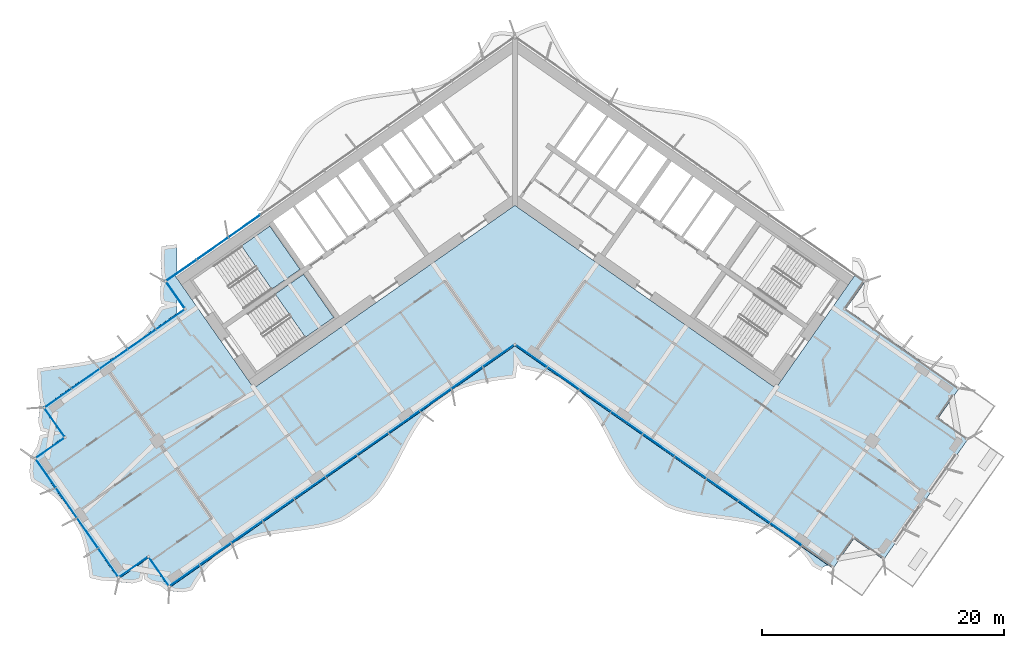
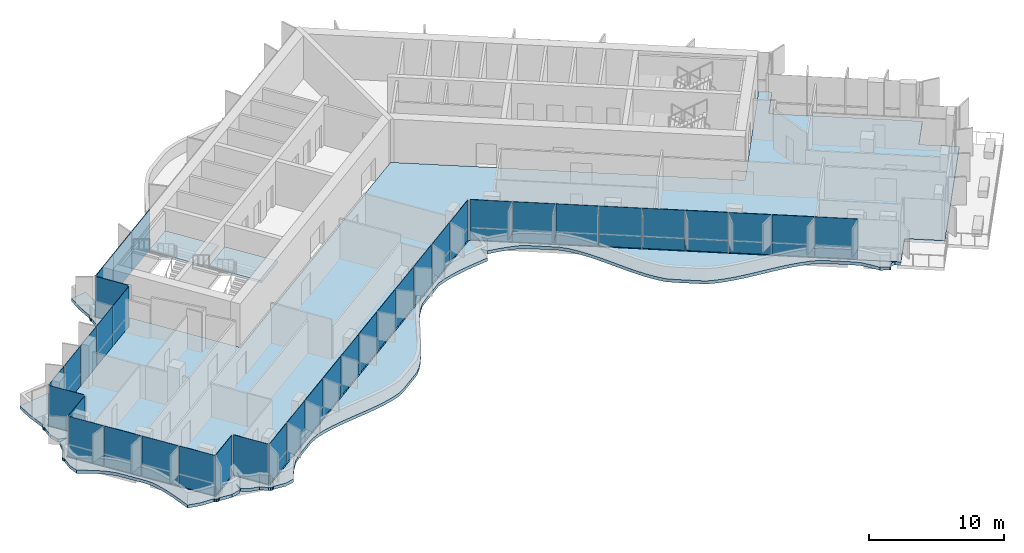
# One storey, part 10 of 22: 37 plates, 4 slabs, 4 elements without a shape of their own.
"""IFC4 building model written with IfcOpenShell, lengths in metres."""

from ifc_helpers import new_model, si_unit, direction, frame, origin, origin_2d, place, context, subcontext, project, spatial, polyline, rectangle, outline, extrude, material, layer, layer_set, type_object, element, aggregate, save


model = new_model("IFC4")

# Units and contexts
model_context = context("Model", 3, precision=1e-05, world=origin(), true_north=direction((0.0, 1.0)))
body_context = subcontext(model_context, "Body", "Model", "MODEL_VIEW")
ifc_project = project(units=[si_unit("LENGTHUNIT", "METRE"), si_unit("AREAUNIT", "SQUARE_METRE"), si_unit("VOLUMEUNIT", "CUBIC_METRE"), si_unit("PLANEANGLEUNIT", "RADIAN"), si_unit("MASSUNIT", "GRAM", prefix="KILO")], contexts=[model_context])

# Site, building, storey
site_placement = place(None, origin())
site = spatial("IfcSite", under=ifc_project, at=site_placement, CompositionType="ELEMENT")
building_placement = place(site_placement, origin())
building = spatial("IfcBuilding", under=site, at=building_placement, Name="Tel Ilan Convention Tower", CompositionType="ELEMENT")
storey_placement = place(building_placement, frame((0.0, 0.0, 143.699951171875)))
storey = spatial("IfcBuildingStorey", under=building, at=storey_placement, Name="L32", CompositionType="ELEMENT", Elevation=143.699951171875)

# Curtain wall, plates
ifc_material_1 = material(Name="Aluminium, bronze anodised", Category="aluminium")
curtain_wall_type_1 = type_object("IfcCurtainWallType", Name="CW4 STICK CURTAIN WALL, OFFICE TINTED GLASS", PredefinedType="NOTDEFINED", material=ifc_material_1)
curtain_wall_1_placement = place(storey_placement, origin())
curtain_wall_1 = element("IfcCurtainWall", 1, at=curtain_wall_1_placement, inside=storey, type_object=curtain_wall_type_1, Name="Curtain wall CW4-26.04", PredefinedType="NOTDEFINED")
ifc_material_2 = material(Name="Glass, bronze tinted, two-ply", Category="glass")
ifc_layer_1 = layer(ifc_material_2, 0.028076171875)
ifc_layer_set_1 = layer_set([ifc_layer_1], Name="CW GLASS PANEL 28")
plate_type_1 = type_object("IfcPlateType", Name="CW GLASS PANEL 28", PredefinedType="CURTAIN_PANEL", material=ifc_layer_set_1)
plate_1_placement = place(storey_placement, frame((-28.44677734375, -10.640625, 0.0), z_axis=(0.0, 0.0, 1.0), x_axis=(-0.819152044289, -0.573576436351, 0.0)))
plate_1 = element("IfcPlate", 2, at=plate_1_placement, type_object=plate_type_1, Name="Glass panel", PredefinedType="CURTAIN_PANEL", context=body_context, shape_type="SweptSolid", body=[
    extrude(rectangle(XDim=2.80908203125, YDim=0.028076171875, at=origin_2d()), origin(), (0.0, 0.0, 1.0), 3.6201171875),
])
plate_2_placement = place(storey_placement, frame((-30.784912109375, -12.278076171875, 0.0), z_axis=(0.0, 0.0, 1.0), x_axis=(-0.819152044289, -0.573576436351, 0.0)))
plate_2 = element("IfcPlate", 3, at=plate_2_placement, type_object=plate_type_1, Name="Glass panel", PredefinedType="CURTAIN_PANEL", context=body_context, shape_type="SweptSolid", body=[
    extrude(rectangle(XDim=2.780029296875, YDim=0.028076171875, at=origin_2d()), origin(), (0.0, 0.0, 1.0), 3.6201171875),
])
plate_3_placement = place(storey_placement, frame((-33.111328125, -13.906982421875, 0.0), z_axis=(0.0, 0.0, 1.0), x_axis=(-0.819152044289, -0.573576436351, 0.0)))
plate_3 = element("IfcPlate", 4, at=plate_3_placement, type_object=plate_type_1, Name="Glass panel", PredefinedType="CURTAIN_PANEL", context=body_context, shape_type="SweptSolid", body=[
    extrude(rectangle(XDim=2.780029296875, YDim=0.028076171875, at=origin_2d()), origin(), (0.0, 0.0, 1.0), 3.6201171875),
])
plate_4_placement = place(storey_placement, frame((-35.437744140625, -15.535888671875, 0.0), z_axis=(0.0, 0.0, 1.0), x_axis=(-0.819152044289, -0.573576436351, 0.0)))
plate_4 = element("IfcPlate", 5, at=plate_4_placement, type_object=plate_type_1, Name="Glass panel", PredefinedType="CURTAIN_PANEL", context=body_context, shape_type="SweptSolid", body=[
    extrude(rectangle(XDim=2.780029296875, YDim=0.028076171875, at=origin_2d()), origin(), (0.0, 0.0, 1.0), 3.6201171875),
])
plate_5_placement = place(storey_placement, frame((-37.7255859375, -17.137939453125, 0.0), z_axis=(0.0, 0.0, 1.0), x_axis=(-0.819152044289, -0.573576436351, 0.0)))
plate_5 = element("IfcPlate", 6, at=plate_5_placement, type_object=plate_type_1, Name="Glass panel", PredefinedType="CURTAIN_PANEL", context=body_context, shape_type="SweptSolid", body=[
    extrude(rectangle(XDim=2.68603515625, YDim=0.028076171875, at=origin_2d()), origin(), (0.0, 0.0, 1.0), 3.6201171875),
])
plate_6_placement = place(storey_placement, frame((-38.007080078125, -19.119140625, 0.0), z_axis=(0.0, 0.0, 1.0), x_axis=(0.573576436351, -0.819152044289, 0.0)))
plate_6 = element("IfcPlate", 7, at=plate_6_placement, type_object=plate_type_1, Name="Glass panel", PredefinedType="CURTAIN_PANEL", context=body_context, shape_type="SweptSolid", body=[
    extrude(rectangle(XDim=2.875, YDim=0.028076171875, at=origin_2d()), origin(), (0.0, 0.0, 1.0), 3.6201171875),
])
plate_7_placement = place(storey_placement, frame((-38.385009765625, -21.261962890625, 0.0), z_axis=(0.0, 0.0, 1.0), x_axis=(-0.819152044289, -0.573576436351, 0.0)))
plate_7 = element("IfcPlate", 8, at=plate_7_placement, type_object=plate_type_1, Name="Glass panel", PredefinedType="CURTAIN_PANEL", context=body_context, shape_type="SweptSolid", body=[
    extrude(rectangle(XDim=2.875, YDim=0.028076171875, at=origin_2d()), origin(), (0.0, 0.0, 1.0), 3.6201171875),
])
plate_8_placement = place(storey_placement, frame((-38.73779296875, -23.305908203125, 0.0), z_axis=(0.0, 0.0, 1.0), x_axis=(0.573576436351, -0.819152044289, 0.0)))
plate_8 = element("IfcPlate", 9, at=plate_8_placement, type_object=plate_type_1, Name="Glass panel", PredefinedType="CURTAIN_PANEL", context=body_context, shape_type="SweptSolid", body=[
    extrude(rectangle(XDim=2.89599609375, YDim=0.028076171875, at=origin_2d()), origin(), (0.0, 0.0, 1.0), 3.6201171875),
])
plate_9_placement = place(storey_placement, frame((-37.015380859375, -25.765869140625, 0.0), z_axis=(0.0, 0.0, 1.0), x_axis=(0.573576436351, -0.819152044289, 0.0)))
plate_9 = element("IfcPlate", 10, at=plate_9_placement, type_object=plate_type_1, Name="Glass panel", PredefinedType="CURTAIN_PANEL", context=body_context, shape_type="SweptSolid", body=[
    extrude(rectangle(XDim=2.989990234375, YDim=0.028076171875, at=origin_2d()), origin(), (0.0, 0.0, 1.0), 3.6201171875),
])
plate_10_placement = place(storey_placement, frame((-35.26611328125, -28.264404296875, 0.0), z_axis=(0.0, 0.0, 1.0), x_axis=(0.573576436351, -0.819152044289, 0.0)))
plate_10 = element("IfcPlate", 11, at=plate_10_placement, type_object=plate_type_1, Name="Glass panel", PredefinedType="CURTAIN_PANEL", context=body_context, shape_type="SweptSolid", body=[
    extrude(rectangle(XDim=2.989990234375, YDim=0.028076171875, at=origin_2d()), origin(), (0.0, 0.0, 1.0), 3.6201171875),
])
plate_11_placement = place(storey_placement, frame((-33.543701171875, -30.72412109375, 0.0), z_axis=(0.0, 0.0, 1.0), x_axis=(0.573576436351, -0.819152044289, 0.0)))
plate_11 = element("IfcPlate", 12, at=plate_11_placement, type_object=plate_type_1, Name="Glass panel", PredefinedType="CURTAIN_PANEL", context=body_context, shape_type="SweptSolid", body=[
    extrude(rectangle(XDim=2.89599609375, YDim=0.028076171875, at=origin_2d()), origin(), (0.0, 0.0, 1.0), 3.6201171875),
])
plate_12_placement = place(storey_placement, frame((-31.502197265625, -31.091796875, 0.0), z_axis=(0.0, 0.0, 1.0), x_axis=(0.819152044289, 0.573576436351, 0.0)))
plate_12 = element("IfcPlate", 13, at=plate_12_placement, type_object=plate_type_1, Name="Glass panel", PredefinedType="CURTAIN_PANEL", context=body_context, shape_type="SweptSolid", body=[
    extrude(rectangle(XDim=2.875, YDim=0.028076171875, at=origin_2d()), origin(), (0.0, 0.0, 1.0), 3.6201171875),
])
plate_13_placement = place(storey_placement, frame((-29.359375, -31.469482421875, 0.0), z_axis=(0.0, 0.0, 1.0), x_axis=(0.573576436351, -0.819152044289, 0.0)))
plate_13 = element("IfcPlate", 14, at=plate_13_placement, type_object=plate_type_1, Name="Glass panel", PredefinedType="CURTAIN_PANEL", context=body_context, shape_type="SweptSolid", body=[
    extrude(rectangle(XDim=2.875, YDim=0.028076171875, at=origin_2d()), origin(), (0.0, 0.0, 1.0), 3.6201171875),
])
plate_14_placement = place(storey_placement, frame((-27.26708984375, -31.78857421875, 0.0), z_axis=(0.0, 0.0, 1.0), x_axis=(0.819152044289, 0.573576436351, 0.0)))
plate_14 = element("IfcPlate", 15, at=plate_14_placement, type_object=plate_type_1, Name="Glass panel", PredefinedType="CURTAIN_PANEL", context=body_context, shape_type="SweptSolid", body=[
    extrude(rectangle(XDim=3.013916015625, YDim=0.028076171875, at=origin_2d()), origin(), (0.0, 0.0, 1.0), 3.6201171875),
])
plate_15_placement = place(storey_placement, frame((-24.71044921875, -29.99853515625, 0.0), z_axis=(0.0, 0.0, 1.0), x_axis=(0.819152044289, 0.573576436351, 0.0)))
plate_15 = element("IfcPlate", 16, at=plate_15_placement, type_object=plate_type_1, Name="Glass panel", PredefinedType="CURTAIN_PANEL", context=body_context, shape_type="SweptSolid", body=[
    extrude(rectangle(XDim=3.10791015625, YDim=0.028076171875, at=origin_2d()), origin(), (0.0, 0.0, 1.0), 3.6201171875),
])
plate_16_placement = place(storey_placement, frame((-22.115478515625, -28.181396484375, 0.0), z_axis=(0.0, 0.0, 1.0), x_axis=(0.819152044289, 0.573576436351, 0.0)))
plate_16 = element("IfcPlate", 17, at=plate_16_placement, type_object=plate_type_1, Name="Glass panel", PredefinedType="CURTAIN_PANEL", context=body_context, shape_type="SweptSolid", body=[
    extrude(rectangle(XDim=3.10791015625, YDim=0.028076171875, at=origin_2d()), origin(), (0.0, 0.0, 1.0), 3.6201171875),
])
plate_17_placement = place(storey_placement, frame((-19.520263671875, -26.3642578125, 0.0), z_axis=(0.0, 0.0, 1.0), x_axis=(0.819152044289, 0.573576436351, 0.0)))
plate_17 = element("IfcPlate", 18, at=plate_17_placement, type_object=plate_type_1, Name="Glass panel", PredefinedType="CURTAIN_PANEL", context=body_context, shape_type="SweptSolid", body=[
    extrude(rectangle(XDim=3.10791015625, YDim=0.028076171875, at=origin_2d()), origin(), (0.0, 0.0, 1.0), 3.6201171875),
])
plate_18_placement = place(storey_placement, frame((-16.92529296875, -24.54736328125, 0.0), z_axis=(0.0, 0.0, 1.0), x_axis=(0.819152044289, 0.573576436351, 0.0)))
plate_18 = element("IfcPlate", 19, at=plate_18_placement, type_object=plate_type_1, Name="Glass panel", PredefinedType="CURTAIN_PANEL", context=body_context, shape_type="SweptSolid", body=[
    extrude(rectangle(XDim=3.10791015625, YDim=0.028076171875, at=origin_2d()), origin(), (0.0, 0.0, 1.0), 3.6201171875),
])
plate_19_placement = place(storey_placement, frame((-14.330078125, -22.730224609375, 0.0), z_axis=(0.0, 0.0, 1.0), x_axis=(0.819152044289, 0.573576436351, 0.0)))
plate_19 = element("IfcPlate", 20, at=plate_19_placement, type_object=plate_type_1, Name="Glass panel", PredefinedType="CURTAIN_PANEL", context=body_context, shape_type="SweptSolid", body=[
    extrude(rectangle(XDim=3.10791015625, YDim=0.028076171875, at=origin_2d()), origin(), (0.0, 0.0, 1.0), 3.6201171875),
])
plate_20_placement = place(storey_placement, frame((-11.735107421875, -20.9130859375, 0.0), z_axis=(0.0, 0.0, 1.0), x_axis=(0.819152044289, 0.573576436351, 0.0)))
plate_20 = element("IfcPlate", 21, at=plate_20_placement, type_object=plate_type_1, Name="Glass panel", PredefinedType="CURTAIN_PANEL", context=body_context, shape_type="SweptSolid", body=[
    extrude(rectangle(XDim=3.10791015625, YDim=0.028076171875, at=origin_2d()), origin(), (0.0, 0.0, 1.0), 3.6201171875),
])
plate_21_placement = place(storey_placement, frame((-9.14013671875, -19.095947265625, 0.0), z_axis=(0.0, 0.0, 1.0), x_axis=(0.819152044289, 0.573576436351, 0.0)))
plate_21 = element("IfcPlate", 22, at=plate_21_placement, type_object=plate_type_1, Name="Glass panel", PredefinedType="CURTAIN_PANEL", context=body_context, shape_type="SweptSolid", body=[
    extrude(rectangle(XDim=3.10791015625, YDim=0.028076171875, at=origin_2d()), origin(), (0.0, 0.0, 1.0), 3.6201171875),
])
plate_22_placement = place(storey_placement, frame((-6.544921875, -17.27880859375, 0.0), z_axis=(0.0, 0.0, 1.0), x_axis=(0.819152044289, 0.573576436351, 0.0)))
plate_22 = element("IfcPlate", 23, at=plate_22_placement, type_object=plate_type_1, Name="Glass panel", PredefinedType="CURTAIN_PANEL", context=body_context, shape_type="SweptSolid", body=[
    extrude(rectangle(XDim=3.10791015625, YDim=0.028076171875, at=origin_2d()), origin(), (0.0, 0.0, 1.0), 3.6201171875),
])
plate_23_placement = place(storey_placement, frame((-3.949951171875, -15.4619140625, 0.0), z_axis=(0.0, 0.0, 1.0), x_axis=(0.819152044289, 0.573576436351, 0.0)))
plate_23 = element("IfcPlate", 24, at=plate_23_placement, type_object=plate_type_1, Name="Glass panel", PredefinedType="CURTAIN_PANEL", context=body_context, shape_type="SweptSolid", body=[
    extrude(rectangle(XDim=3.10791015625, YDim=0.028076171875, at=origin_2d()), origin(), (0.0, 0.0, 1.0), 3.6201171875),
])
plate_24_placement = place(storey_placement, frame((-1.355224609375, -13.64501953125, 0.0), z_axis=(0.0, 0.0, 1.0), x_axis=(0.819152044289, 0.573576436351, 0.0)))
plate_24 = element("IfcPlate", 25, at=plate_24_placement, type_object=plate_type_1, Name="Glass panel", PredefinedType="CURTAIN_PANEL", context=body_context, shape_type="SweptSolid", body=[
    extrude(rectangle(XDim=3.10693359375, YDim=0.028076171875, at=origin_2d()), origin(), (0.0, 0.0, 1.0), 3.6201171875),
])
plate_25_placement = place(storey_placement, frame((1.3818359375, -13.66357421875, 0.0), z_axis=(0.0, 0.0, 1.0), x_axis=(0.819152044289, -0.573576436351, 0.0)))
plate_25 = element("IfcPlate", 26, at=plate_25_placement, type_object=plate_type_1, Name="Glass panel", PredefinedType="CURTAIN_PANEL", context=body_context, shape_type="SweptSolid", body=[
    extrude(rectangle(XDim=3.11572265625, YDim=0.028076171875, at=origin_2d()), origin(), (0.0, 0.0, 1.0), 3.6201171875),
])
plate_26_placement = place(storey_placement, frame((3.9951171875, -15.493408203125, 0.0), z_axis=(0.0, 0.0, 1.0), x_axis=(0.819152044289, -0.573576436351, 0.0)))
plate_26 = element("IfcPlate", 27, at=plate_26_placement, type_object=plate_type_1, Name="Glass panel", PredefinedType="CURTAIN_PANEL", context=body_context, shape_type="SweptSolid", body=[
    extrude(rectangle(XDim=3.144775390625, YDim=0.028076171875, at=origin_2d()), origin(), (0.0, 0.0, 1.0), 3.6201171875),
])
plate_27_placement = place(storey_placement, frame((6.620361328125, -17.331787109375, 0.0), z_axis=(0.0, 0.0, 1.0), x_axis=(0.819152044289, -0.573576436351, 0.0)))
plate_27 = element("IfcPlate", 28, at=plate_27_placement, type_object=plate_type_1, Name="Glass panel", PredefinedType="CURTAIN_PANEL", context=body_context, shape_type="SweptSolid", body=[
    extrude(rectangle(XDim=3.144775390625, YDim=0.028076171875, at=origin_2d()), origin(), (0.0, 0.0, 1.0), 3.6201171875),
])
plate_28_placement = place(storey_placement, frame((9.24560546875, -19.169921875, 0.0), z_axis=(0.0, 0.0, 1.0), x_axis=(0.819152044289, -0.573576436351, 0.0)))
plate_28 = element("IfcPlate", 29, at=plate_28_placement, type_object=plate_type_1, Name="Glass panel", PredefinedType="CURTAIN_PANEL", context=body_context, shape_type="SweptSolid", body=[
    extrude(rectangle(XDim=3.144775390625, YDim=0.028076171875, at=origin_2d()), origin(), (0.0, 0.0, 1.0), 3.6201171875),
])
plate_29_placement = place(storey_placement, frame((11.870849609375, -21.008056640625, 0.0), z_axis=(0.0, 0.0, 1.0), x_axis=(0.819152044289, -0.573576436351, 0.0)))
plate_29 = element("IfcPlate", 30, at=plate_29_placement, type_object=plate_type_1, Name="Glass panel", PredefinedType="CURTAIN_PANEL", context=body_context, shape_type="SweptSolid", body=[
    extrude(rectangle(XDim=3.144775390625, YDim=0.028076171875, at=origin_2d()), origin(), (0.0, 0.0, 1.0), 3.6201171875),
])
plate_30_placement = place(storey_placement, frame((14.49609375, -22.84619140625, 0.0), z_axis=(0.0, 0.0, 1.0), x_axis=(0.819152044289, -0.573576436351, 0.0)))
plate_30 = element("IfcPlate", 31, at=plate_30_placement, type_object=plate_type_1, Name="Glass panel", PredefinedType="CURTAIN_PANEL", context=body_context, shape_type="SweptSolid", body=[
    extrude(rectangle(XDim=3.144775390625, YDim=0.028076171875, at=origin_2d()), origin(), (0.0, 0.0, 1.0), 3.6201171875),
])
plate_31_placement = place(storey_placement, frame((17.12109375, -24.684326171875, 0.0), z_axis=(0.0, 0.0, 1.0), x_axis=(0.819152044289, -0.573576436351, 0.0)))
plate_31 = element("IfcPlate", 32, at=plate_31_placement, type_object=plate_type_1, Name="Glass panel", PredefinedType="CURTAIN_PANEL", context=body_context, shape_type="SweptSolid", body=[
    extrude(rectangle(XDim=3.144775390625, YDim=0.028076171875, at=origin_2d()), origin(), (0.0, 0.0, 1.0), 3.6201171875),
])
plate_32_placement = place(storey_placement, frame((19.746337890625, -26.522705078125, 0.0), z_axis=(0.0, 0.0, 1.0), x_axis=(0.819152044289, -0.573576436351, 0.0)))
plate_32 = element("IfcPlate", 33, at=plate_32_placement, type_object=plate_type_1, Name="Glass panel", PredefinedType="CURTAIN_PANEL", context=body_context, shape_type="SweptSolid", body=[
    extrude(rectangle(XDim=3.144775390625, YDim=0.028076171875, at=origin_2d()), origin(), (0.0, 0.0, 1.0), 3.6201171875),
])
plate_33_placement = place(storey_placement, frame((22.37158203125, -28.36083984375, 0.0), z_axis=(0.0, 0.0, 1.0), x_axis=(0.819152044289, -0.573576436351, 0.0)))
plate_33 = element("IfcPlate", 34, at=plate_33_placement, type_object=plate_type_1, Name="Glass panel", PredefinedType="CURTAIN_PANEL", context=body_context, shape_type="SweptSolid", body=[
    extrude(rectangle(XDim=3.144775390625, YDim=0.028076171875, at=origin_2d()), origin(), (0.0, 0.0, 1.0), 3.6201171875),
])
aggregate(curtain_wall_1, [plate_1, plate_2, plate_3, plate_4, plate_5, plate_6, plate_7, plate_8, plate_9, plate_10, plate_11, plate_12, plate_13, plate_14, plate_15, plate_16, plate_17, plate_18, plate_19, plate_20, plate_21, plate_22, plate_23, plate_24, plate_25, plate_26, plate_27, plate_28, plate_29, plate_30, plate_31, plate_32, plate_33])

ifc_material_3 = material(Name="Aluminium, bronze anodised", Category="aluminium")
curtain_wall_type_2 = type_object("IfcCurtainWallType", Name="CW2 STICK CURTAIN WALL, SPANDREL PANELS", PredefinedType="NOTDEFINED", material=ifc_material_3)
curtain_wall_2_placement = place(storey_placement, origin())
curtain_wall_2 = element("IfcCurtainWall", 35, at=curtain_wall_2_placement, inside=storey, type_object=curtain_wall_type_2, Name="Curtain wall CW2-26.03", PredefinedType="NOTDEFINED")
ifc_material_4 = material(Name="Aluminium composite panel, bronze anodised", Category="aluminium")
ifc_layer_2 = layer(ifc_material_4, 0.06005859375)
ifc_layer_set_2 = layer_set([ifc_layer_2], Name="CW SPANDREL PANEL 60")
plate_type_2 = type_object("IfcPlateType", Name="CW SPANDREL PANEL 60", PredefinedType="CURTAIN_PANEL", material=ifc_layer_set_2)
plate_34_placement = place(storey_placement, frame((-22.31982421875, -2.9326171875, 0.0), z_axis=(0.0, 0.0, 1.0), x_axis=(-0.819152044289, -0.573576436351, 0.0)))
plate_34 = element("IfcPlate", 36, at=plate_34_placement, type_object=plate_type_2, Name="Spandrel panel", PredefinedType="CURTAIN_PANEL", context=body_context, shape_type="SweptSolid", body=[
    extrude(rectangle(XDim=3.15380859375, YDim=0.06005859375, at=origin_2d()), origin(), (0.0, 0.0, 1.0), 3.6201171875),
])
plate_35_placement = place(storey_placement, frame((-24.95263671875, -4.77587890625, 0.0), z_axis=(0.0, 0.0, 1.0), x_axis=(-0.819152044289, -0.573576436351, 0.0)))
plate_35 = element("IfcPlate", 37, at=plate_35_placement, type_object=plate_type_2, Name="Spandrel panel", PredefinedType="CURTAIN_PANEL", context=body_context, shape_type="SweptSolid", body=[
    extrude(rectangle(XDim=3.15380859375, YDim=0.06005859375, at=origin_2d()), origin(), (0.0, 0.0, 1.0), 3.6201171875),
])
plate_36_placement = place(storey_placement, frame((-27.5400390625, -6.587646484375, 0.0), z_axis=(0.0, 0.0, 1.0), x_axis=(-0.819152044289, -0.573576436351, 0.0)))
plate_36 = element("IfcPlate", 38, at=plate_36_placement, type_object=plate_type_2, Name="Spandrel panel", PredefinedType="CURTAIN_PANEL", context=body_context, shape_type="SweptSolid", body=[
    extrude(rectangle(XDim=3.0439453125, YDim=0.06005859375, at=origin_2d()), origin(), (0.0, 0.0, 1.0), 3.6201171875),
])
plate_37_placement = place(storey_placement, frame((-28.033935546875, -8.60546875, 0.0), z_axis=(0.0, 0.0, 1.0), x_axis=(0.573576436351, -0.819152044289, 0.0)))
plate_37 = element("IfcPlate", 39, at=plate_37_placement, type_object=plate_type_2, Name="Spandrel panel", PredefinedType="CURTAIN_PANEL", context=body_context, shape_type="SweptSolid", body=[
    extrude(rectangle(XDim=2.658935546875, YDim=0.06005859375, at=origin_2d()), origin(), (0.0, 0.0, 1.0), 3.6201171875),
])
aggregate(curtain_wall_2, [plate_34, plate_35, plate_36, plate_37])

# Stair, slab
ifc_material_5 = material(Name="Concrete C40/50", Category="concrete")
stair_type = type_object("IfcStairType", Name="Pressurised Exit Stair 22 risers 177 mm", PredefinedType="HALF_TURN_STAIR", material=ifc_material_5)
stair_1_placement = place(storey_placement, origin())
stair_1 = element("IfcStair", 40, at=stair_1_placement, inside=storey, type_object=stair_type, Name="L32 Pressurised Stair S1", PredefinedType="HALF_TURN_STAIR")
ifc_material_6 = material(Name="Concrete C40/50", Category="concrete")
ifc_layer_3 = layer(ifc_material_6, 0.199951171875)
ifc_layer_set_3 = layer_set([ifc_layer_3], Name="Concrete Stair Landing 200 mm C40/50")
slab_type_1 = type_object("IfcSlabType", Name="Concrete Stair Landing 200 mm", PredefinedType="LANDING", material=ifc_layer_set_3)
slab_1_placement = place(storey_placement, frame((0.0, 0.0, 1.75)))
slab_1 = element("IfcSlab", 41, at=slab_1_placement, type_object=slab_type_1, Name="S1 landing 1", PredefinedType="LANDING", context=body_context, shape_type="SweptSolid", body=[
    extrude(outline(polyline([(-20.066650390625, -8.130126953125), (-17.7314453125, -6.494873046875), (-20.226318359375, -2.931640625), (-22.561767578125, -4.566650390625), (-20.066650390625, -8.130126953125)])), origin(), (0.0, 0.0, 1.0), 0.199951171875),
])
aggregate(stair_1, [slab_1])

stair_2_placement = place(storey_placement, origin())
stair_2 = element("IfcStair", 42, at=stair_2_placement, inside=storey, type_object=stair_type, Name="L32 Pressurised Stair S2", PredefinedType="HALF_TURN_STAIR")
slab_2_placement = place(storey_placement, frame((0.0, 0.0, 1.75)))
slab_2 = element("IfcSlab", 43, at=slab_2_placement, type_object=slab_type_1, Name="S2 landing 1", PredefinedType="LANDING", context=body_context, shape_type="SweptSolid", body=[
    extrude(outline(polyline([(-17.28466796875, -12.10302734375), (-14.949462890625, -10.4677734375), (-17.444580078125, -6.904541015625), (-19.77978515625, -8.53955078125), (-17.28466796875, -12.10302734375)])), origin(), (0.0, 0.0, 1.0), 0.199951171875),
])
aggregate(stair_2, [slab_2])

# Slabs
ifc_material_7 = material(Name="Concrete C40/50", Category="concrete")
ifc_layer_4 = layer(ifc_material_7, 0.280029296875)
ifc_layer_set_4 = layer_set([ifc_layer_4], Name="Edge Ledge Slab 280 mm C40/50")
slab_type_2 = type_object("IfcSlabType", Name="Edge Ledge Slab 280 mm C40/50", PredefinedType="FLOOR", material=ifc_layer_set_4)
slab_3_placement = place(storey_placement, frame((0.0, 0.0, -0.280029296875)))
element("IfcSlab", 44, at=slab_3_placement, inside=storey, type_object=slab_type_2, Name="L32 edge ledge 1", PredefinedType="FLOOR", context=body_context, shape_type="SweptSolid", body=[
    extrude(outline(polyline([(-31.562744140625, -32.420166015625), (-32.5517578125, -32.31494140625), (-32.554931640625, -32.310302734375), (-32.60888671875, -32.346435546875), (-32.723876953125, -32.369384765625), (-32.838623046875, -32.346435546875), (-32.93603515625, -32.281494140625), (-32.96484375, -32.238037109375), (-32.969482421875, -32.241455078125), (-34.1298828125, -32.177734375), (-35.07666015625, -31.964599609375), (-35.189697265625, -31.16748046875), (-35.312744140625, -30.377685546875), (-35.46484375, -29.608154296875), (-35.656982421875, -28.86669921875), (-35.8984375, -28.15966796875), (-36.2626953125, -27.53857421875), (-37.49755859375, -25.77490234375), (-38.006591796875, -25.25537109375), (-38.60546875, -24.798583984375), (-39.250732421875, -24.374267578125), (-39.92822265625, -23.97265625), (-40.0625, -23.190673828125), (-39.96728515625, -22.247802734375), (-39.962646484375, -22.244384765625), (-39.99853515625, -22.1904296875), (-40.021484375, -22.07568359375), (-39.99853515625, -21.960693359375), (-39.93359375, -21.863525390625), (-39.890380859375, -21.834716796875), (-39.8935546875, -21.829833984375), (-39.44873046875, -21.157470703125), (-39.19921875, -20.20654296875), (-38.452392578125, -20.01123046875), (-39.13330078125, -19.83251953125), (-39.33544921875, -19.05859375), (-39.23046875, -18.069580078125), (-39.225830078125, -18.06640625), (-39.261962890625, -18.01220703125), (-39.284912109375, -17.8974609375), (-39.261962890625, -17.78271484375), (-39.197021484375, -17.685302734375), (-39.153564453125, -17.656494140625), (-39.15673828125, -17.651611328125), (-39.369873046875, -16.044677734375), (-39.404052734375, -14.692626953125), (-38.58203125, -14.563720703125), (-37.746826171875, -14.453369140625), (-36.90869140625, -14.34716796875), (-36.078125, -14.23046875), (-35.2646484375, -14.089111328125), (-34.477783203125, -13.91015625), (-33.72509765625, -13.68212890625), (-33.03466796875, -13.364990234375), (-31.197998046875, -12.0791015625), (-30.631591796875, -11.585205078125), (-30.14892578125, -10.971435546875), (-29.70263671875, -10.305908203125), (-29.284912109375, -9.59912109375), (-28.654296875, -9.439208984375), (-29.194091796875, -9.332763671875), (-29.29443359375, -8.548583984375), (-29.20458984375, -7.631103515625), (-29.199951171875, -7.6279296875), (-29.236083984375, -7.57373046875), (-29.2587890625, -7.458984375), (-29.236083984375, -7.34423828125), (-29.1708984375, -7.246826171875), (-29.127685546875, -7.218017578125), (-29.130859375, -7.21337890625), (-29.231689453125, -5.78515625), (-29.161865234375, -4.60107421875), (-28.33935546875, -4.49169921875), (-27.875, -4.4326171875), (-27.875, -6.7001953125), (-28.958740234375, -7.458984375), (-27.875, -9.007080078125), (-27.875, -10.1181640625), (-38.74365234375, -17.728515625), (-38.98486328125, -17.8974609375), (-37.263916015625, -20.35498046875), (-38.492919921875, -21.21533203125), (-39.48046875, -21.90673828125), (-39.721435546875, -22.07568359375), (-32.723876953125, -32.0693359375), (-30.266357421875, -30.3486328125), (-29.57861328125, -31.3310546875), (-28.714599609375, -32.56494140625), (-28.545654296875, -32.805908203125), (0.0, -12.818115234375), (25.88427734375, -30.9423828125), (25.81787109375, -30.937744140625), (25.768798828125, -30.939208984375), (25.72021484375, -30.9453125), (25.67236328125, -30.956298828125), (25.625732421875, -30.9716796875), (25.580810546875, -30.99169921875), (25.538330078125, -31.01611328125), (25.498291015625, -31.04443359375), (25.461181640625, -31.076416015625), (25.427490234375, -31.112060546875), (25.3974609375, -31.15087890625), (25.37109375, -31.1923828125), (25.349365234375, -31.236328125), (25.331787109375, -31.281982421875), (25.31884765625, -31.32958984375), (25.3125, -31.36669921875), (25.2314453125, -31.358154296875), (24.565673828125, -31.009765625), (24.111328125, -30.35888671875), (23.619384765625, -29.76220703125), (23.02734375, -29.308349609375), (21.19580078125, -28.02587890625), (20.475830078125, -27.7548828125), (19.716064453125, -27.540283203125), (18.924072265625, -27.372314453125), (18.10791015625, -27.23828125), (17.27685546875, -27.1259765625), (16.44091796875, -27.0205078125), (15.610107421875, -26.9072265625), (14.794677734375, -26.7724609375), (14.003662109375, -26.602783203125), (13.245361328125, -26.386474609375), (12.530029296875, -26.108642578125), (10.698486328125, -24.826171875), (10.110107421875, -24.3671875), (9.61962890625, -23.768310546875), (9.166748046875, -23.115478515625), (8.744384765625, -22.41943359375), (8.343994140625, -21.69189453125), (7.956298828125, -20.9462890625), (7.57080078125, -20.197509765625), (7.177490234375, -19.45947265625), (6.76708984375, -18.74658203125), (6.329833984375, -18.071533203125), (5.8583984375, -17.445556640625), (5.322509765625, -16.9111328125), (3.490966796875, -15.62890625), (2.833251953125, -15.268798828125), (2.093017578125, -15.0263671875), (1.31689453125, -14.835693359375), (0.51220703125, -14.685546875), (0.201416015625, -14.22314453125), (0.2060546875, -14.40478515625), (0.04248046875, -15.464111328125), (-0.788818359375, -15.569580078125), (-1.615234375, -15.681884765625), (-2.427001953125, -15.815185546875), (-3.214599609375, -15.983154296875), (-3.97021484375, -16.19677734375), (-4.686767578125, -16.466064453125), (-6.5087890625, -17.741943359375), (-7.10009765625, -18.190185546875), (-7.59033203125, -18.782470703125), (-8.043212890625, -19.428466796875), (-8.46533203125, -20.118408203125), (-8.864990234375, -20.840087890625), (-9.25146484375, -21.580810546875), (-9.634765625, -22.326416015625), (-10.024658203125, -23.06201171875), (-10.43115234375, -23.7744140625), (-10.86279296875, -24.4501953125), (-11.327880859375, -25.078857421875), (-11.846923828125, -25.63037109375), (-13.6689453125, -26.906005859375), (-14.308837890625, -27.284912109375), (-15.039794921875, -27.53369140625), (-15.80712890625, -27.73046875), (-16.60400390625, -27.885009765625), (-17.421875, -28.009765625), (-18.251220703125, -28.117919921875), (-19.08251953125, -28.2236328125), (-19.905029296875, -28.34130859375), (-20.7099609375, -28.484619140625), (-21.48779296875, -28.666259765625), (-22.2314453125, -28.897216796875), (-22.907470703125, -29.224365234375), (-24.7294921875, -30.5), (-25.286865234375, -30.996826171875), (-25.76416015625, -31.607666015625), (-26.2060546875, -32.269287109375), (-26.6201171875, -32.970703125), (-27.396484375, -33.154296875), (-28.37353515625, -33.0517578125), (-28.376953125, -33.047119140625), (-28.430908203125, -33.083251953125), (-28.545654296875, -33.10595703125), (-28.660400390625, -33.083251953125), (-28.7578125, -33.018310546875), (-28.78662109375, -32.974853515625), (-28.79150390625, -32.97802734375), (-29.2880859375, -32.593505859375), (-30.059814453125, -32.4013671875), (-30.615234375, -32.057861328125), (-30.573974609375, -31.399658203125), (-30.788818359375, -32.2177734375), (-31.562744140625, -32.420166015625)])), origin(), (0.0, 0.0, 1.0), 0.280029296875),
])
ifc_material_8 = material(Name="Concrete C40/50", Category="concrete")
ifc_layer_5 = layer(ifc_material_8, 0.280029296875)
ifc_layer_set_5 = layer_set([ifc_layer_5], Name="Flat Plate Floor Slab 280 mm C40/50")
slab_type_3 = type_object("IfcSlabType", Name="Flat Plate Floor Slab 280 mm C40/50", PredefinedType="FLOOR", material=ifc_layer_set_5)
slab_4_placement = place(storey_placement, frame((0.0, 0.0, -0.280029296875)))
element("IfcSlab", 45, at=slab_4_placement, inside=storey, type_object=slab_type_3, Name="L32 floor slab", PredefinedType="FLOOR", context=body_context, shape_type="SweptSolid", body=[
    extrude(outline(polyline([(34.970458984375, -18.748779296875), (37.427978515625, -20.469482421875), (30.43017578125, -30.46337890625), (27.972900390625, -28.74267578125), (26.251953125, -31.199951171875), (0.0, -12.818115234375), (-28.545654296875, -32.805908203125), (-28.714599609375, -32.56494140625), (-29.53759765625, -31.38916015625), (-29.57861328125, -31.3310546875), (-30.266357421875, -30.3486328125), (-32.723876953125, -32.0693359375), (-39.721435546875, -22.07568359375), (-39.48046875, -21.90673828125), (-39.349609375, -21.815185546875), (-38.492919921875, -21.21533203125), (-37.263916015625, -20.35498046875), (-38.98486328125, -17.8974609375), (-38.74365234375, -17.728515625), (-27.882568359375, -10.12353515625), (-27.598388671875, -9.9248046875), (-27.352783203125, -9.752685546875), (-28.958740234375, -7.458984375), (-28.1396484375, -6.885498046875), (-21.54345703125, -16.3056640625), (0.0, -1.220703125), (21.54345703125, -16.3056640625), (28.1396484375, -6.885498046875), (28.958740234375, -7.458984375), (27.352783203125, -9.752685546875), (36.691162109375, -16.29150390625), (34.970458984375, -18.748779296875)])), origin(), (0.0, 0.0, 1.0), 0.280029296875),
])

save(model, "model.ifc")
